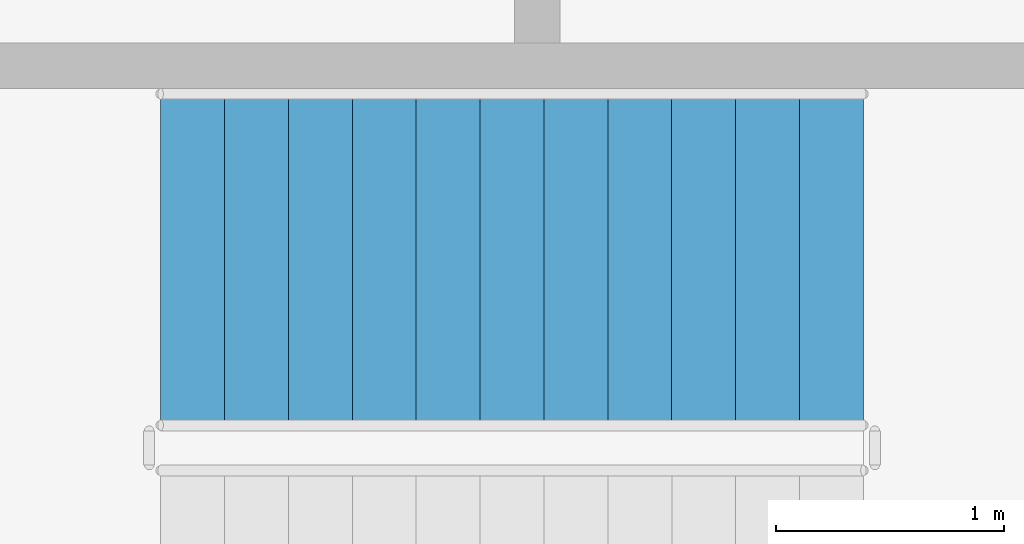
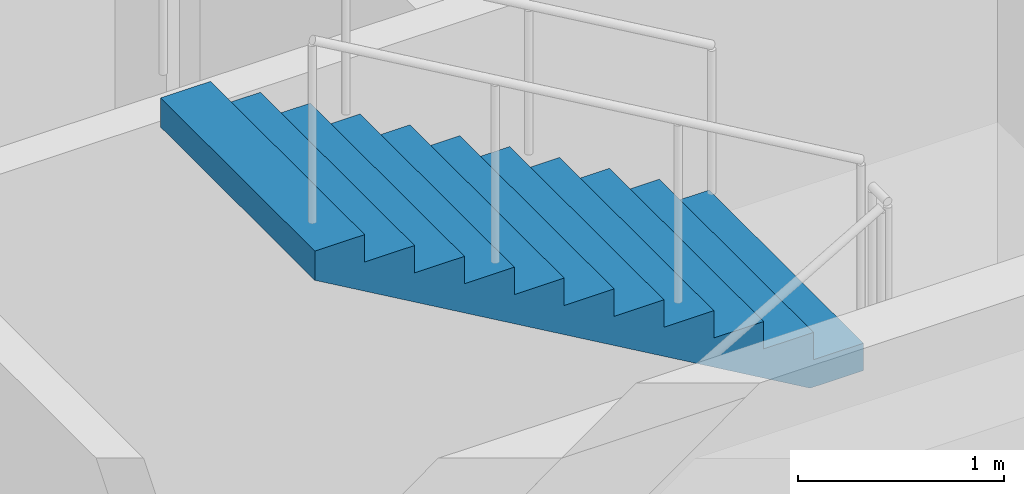
# One storey, part 84 of 95: 1 stair flight, 1 element without a shape of its own.
"""IFC4 building model written with IfcOpenShell, lengths in metres."""

from ifc_helpers import new_model, si_unit, direction, frame, origin, place, context, subcontext, project, spatial, triangles, material, type_object, element, aggregate, save


model = new_model("IFC4")

# Units and contexts
model_context = context("Model", 3, precision=1e-05, world=origin(), true_north=direction((0.0, 1.0)))
body_context = subcontext(model_context, "Body", "Model", "MODEL_VIEW")
ifc_project = project(units=[si_unit("LENGTHUNIT", "METRE"), si_unit("AREAUNIT", "SQUARE_METRE"), si_unit("VOLUMEUNIT", "CUBIC_METRE"), si_unit("PLANEANGLEUNIT", "RADIAN"), si_unit("MASSUNIT", "GRAM", prefix="KILO")], contexts=[model_context])

# Site, building, storey
site_placement = place(None, origin())
site = spatial("IfcSite", under=ifc_project, at=site_placement, CompositionType="ELEMENT")
building_placement = place(site_placement, origin())
building = spatial("IfcBuilding", under=site, at=building_placement, Name="Magnolia Steps Interchange", CompositionType="ELEMENT")
storey_placement = place(building_placement, frame((0.0, 0.0, 4.800048828125)))
storey = spatial("IfcBuildingStorey", under=building, at=storey_placement, Name="L01", CompositionType="ELEMENT", Elevation=4.800048828125)

# Stair, stair flight
ifc_material_1 = material(Name="Concrete C40", Category="concrete")
stair_type = type_object("IfcStairType", Name="Exit stair 1500", PredefinedType="HALF_TURN_STAIR", material=ifc_material_1)
stair_placement = place(storey_placement, origin())
stair = element("IfcStair", 1, at=stair_placement, inside=storey, type_object=stair_type, Name="L01 Stair 29", PredefinedType="HALF_TURN_STAIR")
ifc_material_2 = material(Name="Concrete C40", Category="concrete")
stair_flight_type = type_object("IfcStairFlightType", Name="Exit stair flight", PredefinedType="STRAIGHT", material=ifc_material_2)
stair_flight_placement = place(storey_placement, frame((115.929931640625, 99.25, 1.949951171875), z_axis=(0.0, 0.0, 1.0), x_axis=(-1.0, 0.0, 0.0)))
stair_flight = element("IfcStairFlight", 2, at=stair_flight_placement, type_object=stair_flight_type, Name="Stair 29 flight 2", NumberOfRisers=12, NumberOfTreads=11, PredefinedType="STRAIGHT", RiserHeight=0.1625, TreadLength=0.28, context=body_context, shape_type="Tessellation", body=[
    triangles([(0.0, -0.75, 0.0), (0.298583984375, -0.75, 0.0), (3.080078125, -0.75, 1.6142578125), (3.080078125, -0.75, 1.78759765625), (2.800048828125, -0.75, 1.78759765625), (2.800048828125, -0.75, 1.625), (2.52001953125, -0.75, 1.625), (2.52001953125, -0.75, 1.46240234375), (2.239990234375, -0.75, 1.46240234375), (2.239990234375, -0.75, 1.300048828125), (1.9599609375, -0.75, 1.300048828125), (1.9599609375, -0.75, 1.137451171875), (1.679931640625, -0.75, 1.137451171875), (1.679931640625, -0.75, 0.97509765625), (1.39990234375, -0.75, 0.97509765625), (1.39990234375, -0.75, 0.8125), (1.1201171875, -0.75, 0.8125), (1.1201171875, -0.75, 0.64990234375), (0.840087890625, -0.75, 0.64990234375), (0.840087890625, -0.75, 0.487548828125), (0.56005859375, -0.75, 0.487548828125), (0.56005859375, -0.75, 0.324951171875), (0.280029296875, -0.75, 0.324951171875), (0.280029296875, -0.75, 0.16259765625), (0.0, -0.75, 0.16259765625), (0.0, 0.75, 0.0), (0.298583984375, 0.75, 0.0), (3.080078125, 0.75, 1.6142578125), (3.080078125, 0.75, 1.78759765625), (2.800048828125, 0.75, 1.78759765625), (2.800048828125, 0.75, 1.625), (2.52001953125, 0.75, 1.625), (2.52001953125, 0.75, 1.46240234375), (2.239990234375, 0.75, 1.46240234375), (2.239990234375, 0.75, 1.300048828125), (1.9599609375, 0.75, 1.300048828125), (1.9599609375, 0.75, 1.137451171875), (1.679931640625, 0.75, 1.137451171875), (1.679931640625, 0.75, 0.97509765625), (1.39990234375, 0.75, 0.97509765625), (1.39990234375, 0.75, 0.8125), (1.1201171875, 0.75, 0.8125), (1.1201171875, 0.75, 0.64990234375), (0.840087890625, 0.75, 0.64990234375), (0.840087890625, 0.75, 0.487548828125), (0.56005859375, 0.75, 0.487548828125), (0.56005859375, 0.75, 0.324951171875), (0.280029296875, 0.75, 0.324951171875), (0.280029296875, 0.75, 0.16259765625), (0.0, 0.75, 0.16259765625), (0.0, 0.0, 0.0), (0.0, 0.0, 0.0406494140625), (0.0, 0.0, 0.081298828125), (0.0, 0.0, 0.1219482421875), (0.0, 0.0, 0.16259765625), (0.0, -0.05, 0.0), (0.0, -0.05, 0.16259765625), (0.0, 0.05, 0.0), (0.0, 0.05, 0.16259765625), (0.046671549479166664, 0.0, 0.16259765625), (0.09334309895833333, 0.0, 0.16259765625), (0.1400146484375, 0.0, 0.16259765625), (0.18668619791666666, 0.0, 0.16259765625), (0.23335774739583334, 0.0, 0.16259765625), (0.280029296875, 0.0, 0.16259765625), (0.280029296875, -0.05, 0.16259765625), (0.280029296875, 0.05, 0.16259765625), (0.280029296875, 0.0, 0.20318603515625), (0.280029296875, 0.0, 0.2437744140625), (0.280029296875, 0.0, 0.28436279296875), (0.280029296875, 0.0, 0.324951171875), (0.280029296875, -0.05, 0.324951171875), (0.280029296875, 0.05, 0.324951171875), (0.3267008463541667, 0.0, 0.324951171875), (0.3733723958333333, 0.0, 0.324951171875), (0.4200439453125, 0.0, 0.324951171875), (0.46671549479166663, 0.0, 0.324951171875), (0.5133870442708334, 0.0, 0.324951171875), (0.56005859375, 0.0, 0.324951171875), (0.56005859375, -0.05, 0.324951171875), (0.56005859375, 0.05, 0.324951171875), (0.56005859375, 0.0, 0.3656005859375), (0.56005859375, 0.0, 0.40625), (0.56005859375, 0.0, 0.4468994140625), (0.56005859375, 0.0, 0.487548828125), (0.56005859375, -0.05, 0.487548828125), (0.56005859375, 0.05, 0.487548828125), (0.6067301432291666, 0.0, 0.487548828125), (0.6534016927083334, 0.0, 0.487548828125), (0.7000732421875, 0.0, 0.487548828125), (0.7467447916666666, 0.0, 0.487548828125), (0.7934163411458334, 0.0, 0.487548828125), (0.840087890625, 0.0, 0.487548828125), (0.840087890625, -0.05, 0.487548828125), (0.840087890625, 0.05, 0.487548828125), (0.840087890625, 0.0, 0.52813720703125), (0.840087890625, 0.0, 0.5687255859375), (0.840087890625, 0.0, 0.60931396484375), (0.840087890625, 0.0, 0.64990234375), (0.840087890625, -0.05, 0.64990234375), (0.840087890625, 0.05, 0.64990234375), (0.8867594401041666, 0.0, 0.64990234375), (0.9334309895833334, 0.0, 0.64990234375), (0.9801025390625, 0.0, 0.64990234375), (1.0267740885416667, 0.0, 0.64990234375), (1.0734456380208333, 0.0, 0.64990234375), (1.1201171875, 0.0, 0.64990234375), (1.1201171875, -0.05, 0.64990234375), (1.1201171875, 0.05, 0.64990234375), (1.1201171875, 0.0, 0.6905517578125), (1.1201171875, 0.0, 0.731201171875), (1.1201171875, 0.0, 0.7718505859375), (1.1201171875, 0.0, 0.8125), (1.1201171875, -0.05, 0.8125), (1.1201171875, 0.05, 0.8125), (1.1900634765625, 0.0, 0.8125), (1.260009765625, 0.0, 0.8125), (1.3299560546875, 0.0, 0.8125), (1.39990234375, 0.0, 0.8125), (1.39990234375, -0.05, 0.8125), (1.39990234375, 0.05, 0.8125), (1.39990234375, 0.0, 0.8531494140625), (1.39990234375, 0.0, 0.893798828125), (1.39990234375, 0.0, 0.9344482421875), (1.39990234375, 0.0, 0.97509765625), (1.39990234375, -0.05, 0.97509765625), (1.39990234375, 0.05, 0.97509765625), (1.4465738932291667, 0.0, 0.97509765625), (1.4932454427083333, 0.0, 0.97509765625), (1.5399169921875, 0.0, 0.97509765625), (1.5865885416666667, 0.0, 0.97509765625), (1.6332600911458333, 0.0, 0.97509765625), (1.679931640625, 0.0, 0.97509765625), (1.679931640625, -0.05, 0.97509765625), (1.679931640625, 0.05, 0.97509765625), (1.679931640625, 0.0, 1.01568603515625), (1.679931640625, 0.0, 1.0562744140625), (1.679931640625, 0.0, 1.09686279296875), (1.679931640625, 0.0, 1.137451171875), (1.679931640625, -0.05, 1.137451171875), (1.679931640625, 0.05, 1.137451171875), (1.7266031901041667, 0.0, 1.137451171875), (1.7732747395833333, 0.0, 1.137451171875), (1.8199462890625, 0.0, 1.137451171875), (1.8666178385416667, 0.0, 1.137451171875), (1.9132893880208333, 0.0, 1.137451171875), (1.9599609375, 0.0, 1.137451171875), (1.9599609375, -0.05, 1.137451171875), (1.9599609375, 0.05, 1.137451171875), (1.9599609375, 0.0, 1.1781005859375), (1.9599609375, 0.0, 1.21875), (1.9599609375, 0.0, 1.2593994140625), (1.9599609375, 0.0, 1.300048828125), (1.9599609375, -0.05, 1.300048828125), (1.9599609375, 0.05, 1.300048828125), (2.0066324869791665, 0.0, 1.300048828125), (2.0533040364583335, 0.0, 1.300048828125), (2.0999755859375, 0.0, 1.300048828125), (2.1466471354166665, 0.0, 1.300048828125), (2.1933186848958335, 0.0, 1.300048828125), (2.239990234375, 0.0, 1.300048828125), (2.239990234375, -0.05, 1.300048828125), (2.239990234375, 0.05, 1.300048828125), (2.239990234375, 0.0, 1.34063720703125), (2.239990234375, 0.0, 1.3812255859375), (2.239990234375, 0.0, 1.42181396484375), (2.239990234375, 0.0, 1.46240234375), (2.239990234375, -0.05, 1.46240234375), (2.239990234375, 0.05, 1.46240234375), (2.2866617838541665, 0.0, 1.46240234375), (2.3333333333333335, 0.0, 1.46240234375), (2.3800048828125, 0.0, 1.46240234375), (2.4266764322916665, 0.0, 1.46240234375), (2.4733479817708335, 0.0, 1.46240234375), (2.52001953125, 0.0, 1.46240234375), (2.52001953125, -0.05, 1.46240234375), (2.52001953125, 0.05, 1.46240234375), (2.52001953125, 0.0, 1.5030517578125), (2.52001953125, 0.0, 1.543701171875), (2.52001953125, 0.0, 1.5843505859375), (2.52001953125, 0.0, 1.625), (2.52001953125, -0.05, 1.625), (2.52001953125, 0.05, 1.625), (2.5666910807291665, 0.0, 1.625), (2.6133626302083335, 0.0, 1.625), (2.6600341796875, 0.0, 1.625), (2.7067057291666665, 0.0, 1.625), (2.7533772786458335, 0.0, 1.625), (2.800048828125, 0.0, 1.625), (2.800048828125, -0.05, 1.625), (2.800048828125, 0.05, 1.625), (2.800048828125, 0.0, 1.6656494140625), (2.800048828125, 0.0, 1.706298828125), (2.800048828125, 0.0, 1.7469482421875), (2.800048828125, 0.0, 1.78759765625), (2.800048828125, -0.05, 1.78759765625), (2.800048828125, 0.05, 1.78759765625), (2.8467203776041665, 0.0, 1.78759765625), (2.8933919270833335, 0.0, 1.78759765625), (2.9400634765625, 0.0, 1.78759765625), (2.9867350260416665, 0.0, 1.78759765625), (3.0334065755208335, 0.0, 1.78759765625), (3.080078125, 0.0, 1.78759765625), (3.080078125, -0.05, 1.78759765625), (3.080078125, 0.05, 1.78759765625), (3.080078125, 0.0, 1.7442626953125), (3.080078125, 0.0, 1.700927734375), (3.080078125, 0.0, 1.6575927734375), (3.080078125, 0.0, 1.6142578125), (3.080078125, -0.05, 1.6142578125), (3.080078125, 0.05, 1.6142578125), (3.0196108610733696, 0.0, 1.5791652513586956), (2.9591435971467392, 0.0, 1.5440726902173914), (2.898676333220109, 0.0, 1.508980129076087), (2.8382090692934785, 0.0, 1.4738875679347827), (2.7777418053668477, 0.0, 1.4387950067934783), (2.7172745414402173, 0.0, 1.4037024456521738), (2.656807277513587, 0.0, 1.3686098845108696), (2.5963400135869565, 0.0, 1.3335173233695652), (2.535872749660326, 0.0, 1.2984247622282608), (2.475405485733696, 0.0, 1.2633322010869565), (2.4149382218070654, 0.0, 1.228239639945652), (2.3544709578804346, 0.0, 1.193147078804348), (2.294003693953804, 0.0, 1.1580545176630435), (2.233536430027174, 0.0, 1.1229619565217392), (2.1730691661005435, 0.0, 1.0878693953804348), (2.112601902173913, 0.0, 1.0527768342391304), (2.0521346382472827, 0.0, 1.0176842730978262), (1.991667374320652, 0.0, 0.9825917119565217), (1.9312001103940217, 0.0, 0.9474991508152174), (1.8707328464673914, 0.0, 0.9124065896739131), (1.810265582540761, 0.0, 0.8773140285326086), (1.7497983186141304, 0.0, 0.8422214673913043), (1.6893310546875, 0.0, 0.80712890625), (1.6288637907608696, 0.0, 0.7720363451086957), (1.568396526834239, 0.0, 0.7369437839673914), (1.5079292629076086, 0.0, 0.7018512228260869), (1.4474619989809783, 0.0, 0.6667586616847826), (1.386994735054348, 0.0, 0.6316661005434783), (1.3265274711277173, 0.0, 0.5965735394021738), (1.266060207201087, 0.0, 0.5614809782608696), (1.2055929432744565, 0.0, 0.5263884171195652), (1.1451256793478262, 0.0, 0.491295855978261), (1.0846584154211956, 0.0, 0.45620329483695654), (1.0241911514945654, 0.0, 0.4211107336956521), (0.9637238875679346, 0.0, 0.3860181725543479), (0.9032566236413042, 0.0, 0.35092561141304346), (0.8427893597146738, 0.0, 0.315833050271739), (0.7823220957880435, 0.0, 0.2807404891304348), (0.7218548318614131, 0.0, 0.24564792798913038), (0.6613875679347827, 0.0, 0.21055536684782616), (0.6009203040081523, 0.0, 0.17546280570652173), (0.540453040081522, 0.0, 0.1403702445652173), (0.47998577615489113, 0.0, 0.10527768342391308), (0.41951851222826075, 0.0, 0.07018512228260865), (0.3590512483016304, 0.0, 0.035092561141304435), (0.298583984375, 0.0, 0.0), (0.298583984375, -0.05, 0.0), (0.298583984375, 0.05, 0.0), (0.24881998697916666, 0.0, 0.0), (0.19905598958333331, 0.0, 0.0), (0.1492919921875, 0.0, 0.0), (0.09952799479166666, 0.0, 0.0), (0.04976399739583334, 0.0, 0.0)], [[1, 2, 3], [3, 4, 5], [3, 5, 6], [3, 6, 7], [3, 7, 8], [8, 9, 10], [3, 8, 10], [10, 11, 12], [3, 10, 12], [12, 13, 14], [3, 12, 14], [14, 15, 16], [3, 14, 16], [16, 17, 18], [3, 16, 18], [18, 19, 20], [3, 18, 20], [20, 21, 22], [3, 20, 22], [1, 3, 22], [22, 23, 24], [1, 22, 24], [24, 25, 1], [26, 28, 27], [28, 30, 29], [28, 31, 30], [28, 32, 31], [28, 33, 32], [33, 35, 34], [28, 35, 33], [35, 37, 36], [28, 37, 35], [37, 39, 38], [28, 39, 37], [39, 41, 40], [28, 41, 39], [41, 43, 42], [28, 43, 41], [43, 45, 44], [28, 45, 43], [45, 47, 46], [28, 47, 45], [26, 47, 28], [47, 49, 48], [26, 49, 47], [49, 26, 50], [1, 25, 57], [1, 57, 56], [56, 52, 51], [56, 53, 52], [56, 57, 53], [57, 54, 53], [57, 55, 54], [26, 59, 50], [26, 58, 59], [58, 51, 52], [58, 52, 53], [58, 53, 59], [59, 53, 54], [59, 54, 55], [25, 24, 66], [25, 66, 57], [57, 60, 55], [57, 61, 60], [57, 62, 61], [57, 66, 62], [66, 63, 62], [66, 64, 63], [66, 65, 64], [50, 67, 49], [50, 59, 67], [59, 55, 60], [59, 60, 61], [59, 61, 62], [59, 62, 67], [67, 62, 63], [67, 63, 64], [67, 64, 65], [24, 23, 72], [24, 72, 66], [66, 68, 65], [66, 69, 68], [66, 72, 69], [72, 70, 69], [72, 71, 70], [49, 73, 48], [49, 67, 73], [67, 65, 68], [67, 68, 69], [67, 69, 73], [73, 69, 70], [73, 70, 71], [23, 22, 80], [23, 80, 72], [72, 74, 71], [72, 75, 74], [72, 76, 75], [72, 80, 76], [80, 77, 76], [80, 78, 77], [80, 79, 78], [48, 81, 47], [48, 73, 81], [73, 71, 74], [73, 74, 75], [73, 75, 76], [73, 76, 81], [81, 76, 77], [81, 77, 78], [81, 78, 79], [22, 21, 86], [22, 86, 80], [80, 82, 79], [80, 83, 82], [80, 86, 83], [86, 84, 83], [86, 85, 84], [47, 87, 46], [47, 81, 87], [81, 79, 82], [81, 82, 83], [81, 83, 87], [87, 83, 84], [87, 84, 85], [21, 20, 94], [21, 94, 86], [86, 88, 85], [86, 89, 88], [86, 90, 89], [86, 94, 90], [94, 91, 90], [94, 92, 91], [94, 93, 92], [46, 95, 45], [46, 87, 95], [87, 85, 88], [87, 88, 89], [87, 89, 90], [87, 90, 95], [95, 90, 91], [95, 91, 92], [95, 92, 93], [20, 19, 100], [20, 100, 94], [94, 96, 93], [94, 97, 96], [94, 100, 97], [100, 98, 97], [100, 99, 98], [45, 101, 44], [45, 95, 101], [95, 93, 96], [95, 96, 97], [95, 97, 101], [101, 97, 98], [101, 98, 99], [19, 18, 108], [19, 108, 100], [100, 102, 99], [100, 103, 102], [100, 104, 103], [100, 108, 104], [108, 105, 104], [108, 106, 105], [108, 107, 106], [44, 109, 43], [44, 101, 109], [101, 99, 102], [101, 102, 103], [101, 103, 104], [101, 104, 109], [109, 104, 105], [109, 105, 106], [109, 106, 107], [18, 17, 114], [18, 114, 108], [108, 110, 107], [108, 111, 110], [108, 114, 111], [114, 112, 111], [114, 113, 112], [43, 115, 42], [43, 109, 115], [109, 107, 110], [109, 110, 111], [109, 111, 115], [115, 111, 112], [115, 112, 113], [17, 16, 120], [17, 120, 114], [114, 116, 113], [114, 117, 116], [114, 120, 117], [120, 118, 117], [120, 119, 118], [42, 121, 41], [42, 115, 121], [115, 113, 116], [115, 116, 117], [115, 117, 121], [121, 117, 118], [121, 118, 119], [16, 15, 126], [16, 126, 120], [120, 122, 119], [120, 123, 122], [120, 126, 123], [126, 124, 123], [126, 125, 124], [41, 127, 40], [41, 121, 127], [121, 119, 122], [121, 122, 123], [121, 123, 127], [127, 123, 124], [127, 124, 125], [15, 14, 134], [15, 134, 126], [126, 128, 125], [126, 129, 128], [126, 130, 129], [126, 134, 130], [134, 131, 130], [134, 132, 131], [134, 133, 132], [40, 135, 39], [40, 127, 135], [127, 125, 128], [127, 128, 129], [127, 129, 130], [127, 130, 135], [135, 130, 131], [135, 131, 132], [135, 132, 133], [14, 13, 140], [14, 140, 134], [134, 136, 133], [134, 137, 136], [134, 140, 137], [140, 138, 137], [140, 139, 138], [39, 141, 38], [39, 135, 141], [135, 133, 136], [135, 136, 137], [135, 137, 141], [141, 137, 138], [141, 138, 139], [13, 12, 148], [13, 148, 140], [140, 142, 139], [140, 143, 142], [140, 144, 143], [140, 148, 144], [148, 145, 144], [148, 146, 145], [148, 147, 146], [38, 149, 37], [38, 141, 149], [141, 139, 142], [141, 142, 143], [141, 143, 144], [141, 144, 149], [149, 144, 145], [149, 145, 146], [149, 146, 147], [12, 11, 154], [12, 154, 148], [148, 150, 147], [148, 151, 150], [148, 154, 151], [154, 152, 151], [154, 153, 152], [37, 155, 36], [37, 149, 155], [149, 147, 150], [149, 150, 151], [149, 151, 155], [155, 151, 152], [155, 152, 153], [11, 10, 162], [11, 162, 154], [154, 156, 153], [154, 157, 156], [154, 158, 157], [154, 162, 158], [162, 159, 158], [162, 160, 159], [162, 161, 160], [36, 163, 35], [36, 155, 163], [155, 153, 156], [155, 156, 157], [155, 157, 158], [155, 158, 163], [163, 158, 159], [163, 159, 160], [163, 160, 161], [10, 9, 168], [10, 168, 162], [162, 164, 161], [162, 165, 164], [162, 168, 165], [168, 166, 165], [168, 167, 166], [35, 169, 34], [35, 163, 169], [163, 161, 164], [163, 164, 165], [163, 165, 169], [169, 165, 166], [169, 166, 167], [9, 8, 176], [9, 176, 168], [168, 170, 167], [168, 171, 170], [168, 172, 171], [168, 176, 172], [176, 173, 172], [176, 174, 173], [176, 175, 174], [34, 177, 33], [34, 169, 177], [169, 167, 170], [169, 170, 171], [169, 171, 172], [169, 172, 177], [177, 172, 173], [177, 173, 174], [177, 174, 175], [8, 7, 182], [8, 182, 176], [176, 178, 175], [176, 179, 178], [176, 182, 179], [182, 180, 179], [182, 181, 180], [33, 183, 32], [33, 177, 183], [177, 175, 178], [177, 178, 179], [177, 179, 183], [183, 179, 180], [183, 180, 181], [7, 6, 190], [7, 190, 182], [182, 184, 181], [182, 185, 184], [182, 186, 185], [182, 190, 186], [190, 187, 186], [190, 188, 187], [190, 189, 188], [32, 191, 31], [32, 183, 191], [183, 181, 184], [183, 184, 185], [183, 185, 186], [183, 186, 191], [191, 186, 187], [191, 187, 188], [191, 188, 189], [6, 5, 196], [6, 196, 190], [190, 192, 189], [190, 193, 192], [190, 196, 193], [196, 194, 193], [196, 195, 194], [31, 197, 30], [31, 191, 197], [191, 189, 192], [191, 192, 193], [191, 193, 197], [197, 193, 194], [197, 194, 195], [5, 4, 204], [5, 204, 196], [196, 198, 195], [196, 199, 198], [196, 200, 199], [196, 204, 200], [204, 201, 200], [204, 202, 201], [204, 203, 202], [30, 205, 29], [30, 197, 205], [197, 195, 198], [197, 198, 199], [197, 199, 200], [197, 200, 205], [205, 200, 201], [205, 201, 202], [205, 202, 203], [4, 3, 210], [4, 210, 204], [204, 206, 203], [204, 207, 206], [204, 210, 207], [210, 208, 207], [210, 209, 208], [29, 211, 28], [29, 205, 211], [205, 203, 206], [205, 206, 207], [205, 207, 211], [211, 207, 208], [211, 208, 209], [3, 2, 258], [3, 258, 210], [210, 212, 209], [210, 213, 212], [210, 214, 213], [210, 215, 214], [210, 216, 215], [210, 217, 216], [210, 218, 217], [210, 219, 218], [210, 220, 219], [210, 221, 220], [210, 222, 221], [210, 223, 222], [210, 224, 223], [210, 225, 224], [210, 226, 225], [210, 227, 226], [210, 228, 227], [210, 229, 228], [210, 230, 229], [210, 231, 230], [210, 232, 231], [210, 233, 232], [210, 234, 233], [210, 258, 234], [258, 235, 234], [258, 236, 235], [258, 237, 236], [258, 238, 237], [258, 239, 238], [258, 240, 239], [258, 241, 240], [258, 242, 241], [258, 243, 242], [258, 244, 243], [258, 245, 244], [258, 246, 245], [258, 247, 246], [258, 248, 247], [258, 249, 248], [258, 250, 249], [258, 251, 250], [258, 252, 251], [258, 253, 252], [258, 254, 253], [258, 255, 254], [258, 256, 255], [258, 257, 256], [28, 259, 27], [28, 211, 259], [211, 209, 212], [211, 212, 213], [211, 213, 214], [211, 214, 215], [211, 215, 216], [211, 216, 217], [211, 217, 218], [211, 218, 219], [211, 219, 220], [211, 220, 221], [211, 221, 222], [211, 222, 223], [211, 223, 224], [211, 224, 225], [211, 225, 226], [211, 226, 227], [211, 227, 228], [211, 228, 229], [211, 229, 230], [211, 230, 231], [211, 231, 232], [211, 232, 233], [211, 233, 234], [211, 234, 259], [259, 234, 235], [259, 235, 236], [259, 236, 237], [259, 237, 238], [259, 238, 239], [259, 239, 240], [259, 240, 241], [259, 241, 242], [259, 242, 243], [259, 243, 244], [259, 244, 245], [259, 245, 246], [259, 246, 247], [259, 247, 248], [259, 248, 249], [259, 249, 250], [259, 250, 251], [259, 251, 252], [259, 252, 253], [259, 253, 254], [259, 254, 255], [259, 255, 256], [259, 256, 257], [2, 1, 56], [2, 56, 258], [258, 260, 257], [258, 261, 260], [258, 262, 261], [258, 56, 262], [56, 263, 262], [56, 264, 263], [56, 51, 264], [27, 58, 26], [27, 259, 58], [259, 257, 260], [259, 260, 261], [259, 261, 262], [259, 262, 58], [58, 262, 263], [58, 263, 264], [58, 264, 51]], closed=True),
])
aggregate(stair, [stair_flight])

save(model, "model.ifc")
